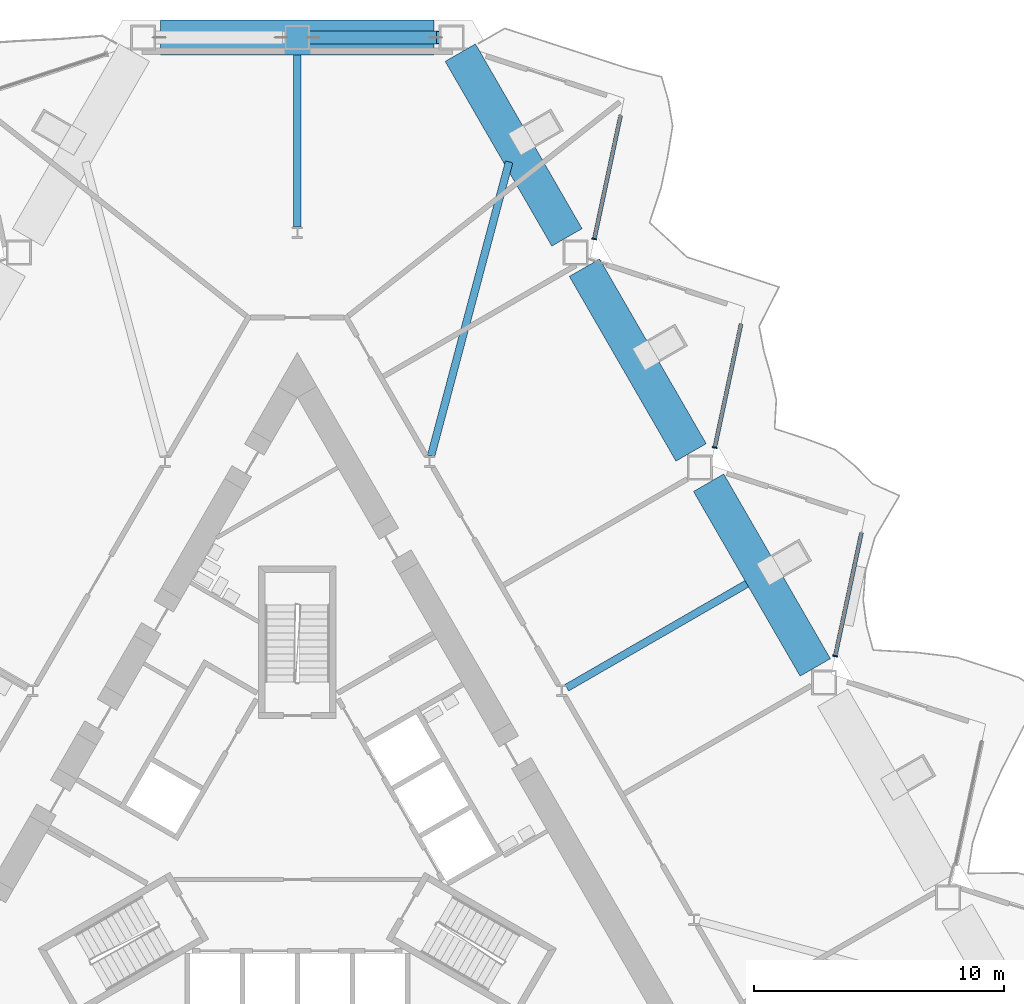
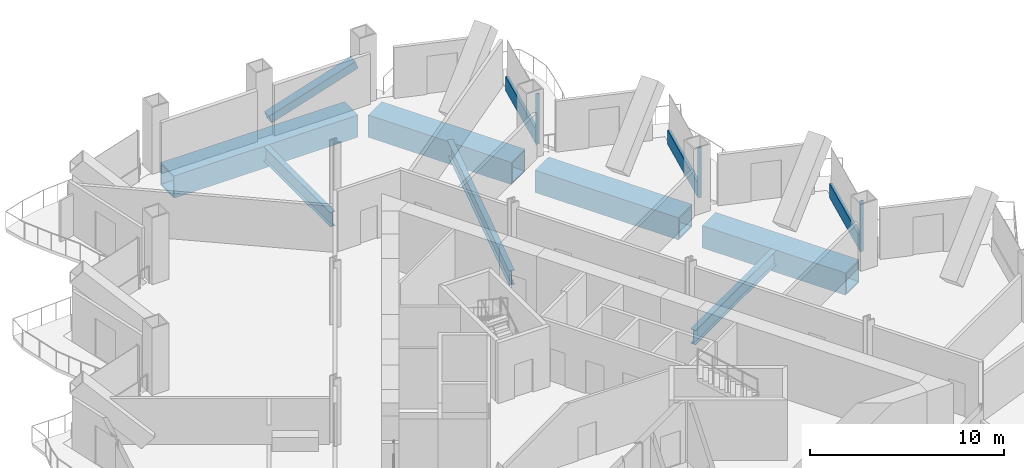
# One storey, part 7 of 22: 7 beams, 7 members, 3 elements without a shape of their own.
"""IFC4 building model written with IfcOpenShell, lengths in metres."""

from ifc_helpers import new_model, si_unit, direction, frame, origin, origin_2d, place, context, subcontext, project, spatial, rectangle, hollow_rectangle, i_section, extrude, material, layer, layer_set, material_profile, profile_set, type_object, element, aggregate, save


model = new_model("IFC4")

# Units and contexts
model_context = context("Model", 3, precision=1e-05, world=origin(), true_north=direction((0.0, 1.0)))
body_context = subcontext(model_context, "Body", "Model", "MODEL_VIEW")
ifc_project = project(units=[si_unit("LENGTHUNIT", "METRE"), si_unit("AREAUNIT", "SQUARE_METRE"), si_unit("VOLUMEUNIT", "CUBIC_METRE"), si_unit("PLANEANGLEUNIT", "RADIAN"), si_unit("MASSUNIT", "GRAM", prefix="KILO")], contexts=[model_context])

# Site, building, storey
site_placement = place(None, origin())
site = spatial("IfcSite", under=ifc_project, at=site_placement, CompositionType="ELEMENT")
building_placement = place(site_placement, origin())
building = spatial("IfcBuilding", under=site, at=building_placement, Name="Cormorant Prow Tower", CompositionType="ELEMENT")
storey_placement = place(building_placement, frame((0.0, 0.0, 30.0)))
storey = spatial("IfcBuildingStorey", under=building, at=storey_placement, Name="L05", CompositionType="ELEMENT", Elevation=30.0)

# Member
ifc_material_1 = material(Name="Structural steel ASTM A500 Gr C", Category="steel")
ifc_material_profile_1 = material_profile(ifc_material_1, hollow_rectangle(XDim=0.508056640625, YDim=0.508056640625, WallThickness=0.014892578125, at=origin_2d()), Name="HSS20x20x5/8")
ifc_profile_set_1 = profile_set([ifc_material_profile_1], Name="Structural steel ASTM A500 Gr C")
member_type_1 = type_object("IfcMemberType", Name="Chamfer brace HSS20x20x5/8", PredefinedType="BRACE", material=ifc_profile_set_1)
member_1_placement = place(storey_placement, frame((0.518798828125, 32.233642578125, 0.767333984375), z_axis=(0.951774314198, 0.0, 0.306799046335), x_axis=(0.0, 1.0, 0.0)))
element("IfcMember", 1, at=member_1_placement, inside=storey, type_object=member_type_1, Name="Chamfer brace BR1 at N00 L05", PredefinedType="BRACE", context=body_context, shape_type="SweptSolid", body=[
    extrude(hollow_rectangle(XDim=0.508056640625, YDim=0.508056640625, WallThickness=0.014892578125, at=origin_2d()), origin(), (0.0, 0.0, 1.0), 5.39208984375),
])

# Curtain wall, member
ifc_material_2 = material(Name="Aluminium 6063-T6", Category="aluminium")
ifc_layer = layer(ifc_material_2, 0.199951171875)
ifc_layer_set = layer_set([ifc_layer], Name="Aluminium 6063-T6")
curtain_wall_type = type_object("IfcCurtainWallType", Name="Office unitised curtain wall 200", PredefinedType="NOTDEFINED", material=ifc_layer_set)
curtain_wall_1_placement = place(storey_placement, origin())
curtain_wall_1 = element("IfcCurtainWall", 2, at=curtain_wall_1_placement, inside=storey, type_object=curtain_wall_type, Name="Office curtain wall ENE04", PredefinedType="NOTDEFINED")
ifc_material_3 = material(Name="Aluminium 6063-T6", Category="aluminium")
ifc_material_profile_2 = material_profile(ifc_material_3, rectangle(XDim=0.199951171875, YDim=0.06005859375, at=origin_2d()), Name="Office mullion 60x200")
ifc_profile_set_2 = profile_set([ifc_material_profile_2], Name="Aluminium 6063-T6")
member_type_2 = type_object("IfcMemberType", Name="Office mullion 60x200", PredefinedType="MULLION", material=ifc_profile_set_2)
member_2_placement = place(storey_placement, frame((21.517333984375, 7.4892578125, 0.0), z_axis=(0.0, 0.0, 1.0), x_axis=(-0.978147617041, 0.207911614097, 0.0)))
member_2 = element("IfcMember", 3, at=member_2_placement, type_object=member_type_2, Name="Office mullion ENE04", PredefinedType="MULLION", context=body_context, shape_type="SweptSolid", body=[
    extrude(rectangle(XDim=0.199951171875, YDim=0.06005859375, at=origin_2d()), origin(), (0.0, 0.0, 1.0), 3.18896484375),
])

curtain_wall_2_placement = place(storey_placement, origin())
curtain_wall_2 = element("IfcCurtainWall", 4, at=curtain_wall_2_placement, inside=storey, type_object=curtain_wall_type, Name="Office curtain wall ENE06", PredefinedType="NOTDEFINED")
member_3_placement = place(storey_placement, frame((16.69970703125, 15.83349609375, 0.0), z_axis=(0.0, 0.0, 1.0), x_axis=(-0.978147585671, 0.207911761683, 0.0)))
member_3 = element("IfcMember", 5, at=member_3_placement, type_object=member_type_2, Name="Office mullion ENE06", PredefinedType="MULLION", context=body_context, shape_type="SweptSolid", body=[
    extrude(rectangle(XDim=0.199951171875, YDim=0.06005859375, at=origin_2d()), origin(), (0.0, 0.0, 1.0), 3.18896484375),
])

curtain_wall_3_placement = place(storey_placement, origin())
curtain_wall_3 = element("IfcCurtainWall", 6, at=curtain_wall_3_placement, inside=storey, type_object=curtain_wall_type, Name="Office curtain wall ENE08", PredefinedType="NOTDEFINED")
member_4_placement = place(storey_placement, frame((11.882080078125, 24.177734375, 0.0), z_axis=(0.0, 0.0, 1.0), x_axis=(-0.978147585671, 0.207911761683, 0.0)))
member_4 = element("IfcMember", 7, at=member_4_placement, type_object=member_type_2, Name="Office mullion ENE08", PredefinedType="MULLION", context=body_context, shape_type="SweptSolid", body=[
    extrude(rectangle(XDim=0.199951171875, YDim=0.06005859375, at=origin_2d()), origin(), (0.0, 0.0, 1.0), 3.18896484375),
])

# Member
ifc_material_4 = material(Name="Terracotta", Category="masonry")
ifc_material_profile_3 = material_profile(ifc_material_4, rectangle(XDim=0.159912109375, YDim=0.89990234375, at=origin_2d()), Name="Office terracotta spandrel rail 160x900")
ifc_profile_set_3 = profile_set([ifc_material_profile_3], Name="Terracotta")
member_type_3 = type_object("IfcMemberType", Name="Office terracotta spandrel rail 160x900", PredefinedType="USERDEFINED", material=ifc_profile_set_3)
member_5_placement = place(storey_placement, frame((21.5234375, 7.5185546875, 0.449951171875), z_axis=(0.207950135672, 0.978139428238, 0.0), x_axis=(-0.978139428238, 0.207950135672, 0.0)))
member_5 = element("IfcMember", 8, at=member_5_placement, type_object=member_type_3, Name="Office spandrel rail ENE04", ObjectType="TRANSOM", PredefinedType="USERDEFINED", context=body_context, shape_type="SweptSolid", body=[
    extrude(rectangle(XDim=0.159912109375, YDim=0.89990234375, at=origin_2d()), origin(), (0.0, 0.0, 1.0), 5.0166015625),
])

aggregate(curtain_wall_1, [member_2, member_5])

member_6_placement = place(storey_placement, frame((16.7060546875, 15.86279296875, 0.449951171875), z_axis=(0.20790357337, 0.978149326115, 0.0), x_axis=(-0.978149326115, 0.20790357337, 0.0)))
member_6 = element("IfcMember", 9, at=member_6_placement, type_object=member_type_3, Name="Office spandrel rail ENE06", ObjectType="TRANSOM", PredefinedType="USERDEFINED", context=body_context, shape_type="SweptSolid", body=[
    extrude(rectangle(XDim=0.159912109375, YDim=0.89990234375, at=origin_2d()), origin(), (0.0, 0.0, 1.0), 5.0166015625),
])

aggregate(curtain_wall_2, [member_3, member_6])

member_7_placement = place(storey_placement, frame((11.888427734375, 24.20703125, 0.449951171875), z_axis=(0.20790357337, 0.978149326115, 0.0), x_axis=(-0.978149326115, 0.20790357337, 0.0)))
member_7 = element("IfcMember", 10, at=member_7_placement, type_object=member_type_3, Name="Office spandrel rail ENE08", ObjectType="TRANSOM", PredefinedType="USERDEFINED", context=body_context, shape_type="SweptSolid", body=[
    extrude(rectangle(XDim=0.159912109375, YDim=0.89990234375, at=origin_2d()), origin(), (0.0, 0.0, 1.0), 5.0166015625),
])

aggregate(curtain_wall_3, [member_4, member_7])

# Beams
ifc_material_5 = material(Name="Structural steel ASTM A992 Gr 50", Category="steel")
ifc_material_profile_4 = material_profile(ifc_material_5, i_section(OverallWidth=0.3046875, OverallDepth=0.914794921875, WebThickness=0.0166015625, FlangeThickness=0.02587890625, at=origin_2d()), Name="W36x160")
ifc_profile_set_4 = profile_set([ifc_material_profile_4], Name="Structural steel ASTM A992 Gr 50")
beam_type_1 = type_object("IfcBeamType", Name="Radial floor beam W36x160", PredefinedType="BEAM", material=ifc_profile_set_4)
beam_1_placement = place(storey_placement, frame((0.0, 24.662109375, -0.857421875), z_axis=(0.0, 1.0, 0.0), x_axis=(-1.0, 0.0, 0.0)))
element("IfcBeam", 11, at=beam_1_placement, inside=storey, type_object=beam_type_1, Name="Radial floor beam FB1 1 L05", PredefinedType="BEAM", context=body_context, shape_type="SweptSolid", body=[
    extrude(i_section(OverallWidth=0.3046875, OverallDepth=0.914794921875, WebThickness=0.0166015625, FlangeThickness=0.02587890625, at=origin_2d()), origin(), (0.0, 0.0, 1.0), 6.87158203125),
])
beam_2_placement = place(storey_placement, frame((10.779541015625, 6.2236328125, -0.857421875), z_axis=(0.866029567316, 0.499992788483, 0.0), x_axis=(-0.499992788483, 0.866029567316, 0.0)))
element("IfcBeam", 12, at=beam_2_placement, inside=storey, type_object=beam_type_1, Name="Radial floor beam FB1 11 L05", PredefinedType="BEAM", context=body_context, shape_type="SweptSolid", body=[
    extrude(i_section(OverallWidth=0.3046875, OverallDepth=0.914794921875, WebThickness=0.0166015625, FlangeThickness=0.02587890625, at=origin_2d()), origin(), (0.0, 0.0, 1.0), 8.3125),
])
beam_3_placement = place(storey_placement, frame((5.348876953125, 15.4931640625, -0.857421875), z_axis=(0.256678696136, 0.966496790967, 0.0), x_axis=(-0.966496790967, 0.256678696136, 0.0)))
element("IfcBeam", 13, at=beam_3_placement, inside=storey, type_object=beam_type_1, Name="Radial floor beam FB1 12 L05", PredefinedType="BEAM", context=body_context, shape_type="SweptSolid", body=[
    extrude(i_section(OverallWidth=0.3046875, OverallDepth=0.914794921875, WebThickness=0.0166015625, FlangeThickness=0.02587890625, at=origin_2d()), origin(), (0.0, 0.0, 1.0), 12.1708984375),
])
ifc_material_6 = material(Name="Structural steel ASTM A572 Gr 50", Category="steel")
ifc_material_profile_5 = material_profile(ifc_material_6, hollow_rectangle(XDim=1.39990234375, YDim=1.39990234375, WallThickness=0.080078125, at=origin_2d()), Name="Box 1400x1400x80")
ifc_profile_set_5 = profile_set([ifc_material_profile_5], Name="Structural steel ASTM A572 Gr 50")
beam_type_2 = type_object("IfcBeamType", Name="Transfer girder 1400x1400x80", PredefinedType="BEAM", material=ifc_profile_set_5)
beam_4_placement = place(storey_placement, frame((20.7177734375, 7.035400390625, -1.10009765625), z_axis=(-0.49997675259, 0.866038825267, 0.0), x_axis=(-0.866038825267, -0.49997675259, 0.0)))
element("IfcBeam", 14, at=beam_4_placement, inside=storey, type_object=beam_type_2, Name="Transfer girder TG1 ENE04-ENE06 L05", PredefinedType="BEAM", context=body_context, shape_type="SweptSolid", body=[
    extrude(hollow_rectangle(XDim=1.39990234375, YDim=1.39990234375, WallThickness=0.080078125, at=origin_2d()), origin(), (0.0, 0.0, 1.0), 8.5322265625),
])
beam_5_placement = place(storey_placement, frame((15.751708984375, 15.636962890625, -1.10009765625), z_axis=(-0.499989142795, 0.866031672104, 0.0), x_axis=(-0.866031672104, -0.499989142795, 0.0)))
element("IfcBeam", 15, at=beam_5_placement, inside=storey, type_object=beam_type_2, Name="Transfer girder TG1 ENE06-ENE08 L05", PredefinedType="BEAM", context=body_context, shape_type="SweptSolid", body=[
    extrude(hollow_rectangle(XDim=1.39990234375, YDim=1.39990234375, WallThickness=0.080078125, at=origin_2d()), origin(), (0.0, 0.0, 1.0), 8.531982421875),
])
beam_6_placement = place(storey_placement, frame((10.78564453125, 24.23828125, -1.10009765625), z_axis=(-0.49997675259, 0.866038825267, 0.0), x_axis=(-0.866038825267, -0.49997675259, 0.0)))
element("IfcBeam", 16, at=beam_6_placement, inside=storey, type_object=beam_type_2, Name="Transfer girder TG1 ENE08-N00 L05", PredefinedType="BEAM", context=body_context, shape_type="SweptSolid", body=[
    extrude(hollow_rectangle(XDim=1.39990234375, YDim=1.39990234375, WallThickness=0.080078125, at=origin_2d()), origin(), (0.0, 0.0, 1.0), 8.5322265625),
])
beam_7_placement = place(storey_placement, frame((5.4697265625, 32.233642578125, -1.10009765625), z_axis=(-1.0, 0.0, 0.0), x_axis=(0.0, -1.0, 0.0)))
element("IfcBeam", 17, at=beam_7_placement, inside=storey, type_object=beam_type_2, Name="Transfer girder TG1 N00-WNW00 L05", PredefinedType="BEAM", context=body_context, shape_type="SweptSolid", body=[
    extrude(hollow_rectangle(XDim=1.39990234375, YDim=1.39990234375, WallThickness=0.080078125, at=origin_2d()), origin(), (0.0, 0.0, 1.0), 10.939453125),
])

save(model, "model.ifc")
